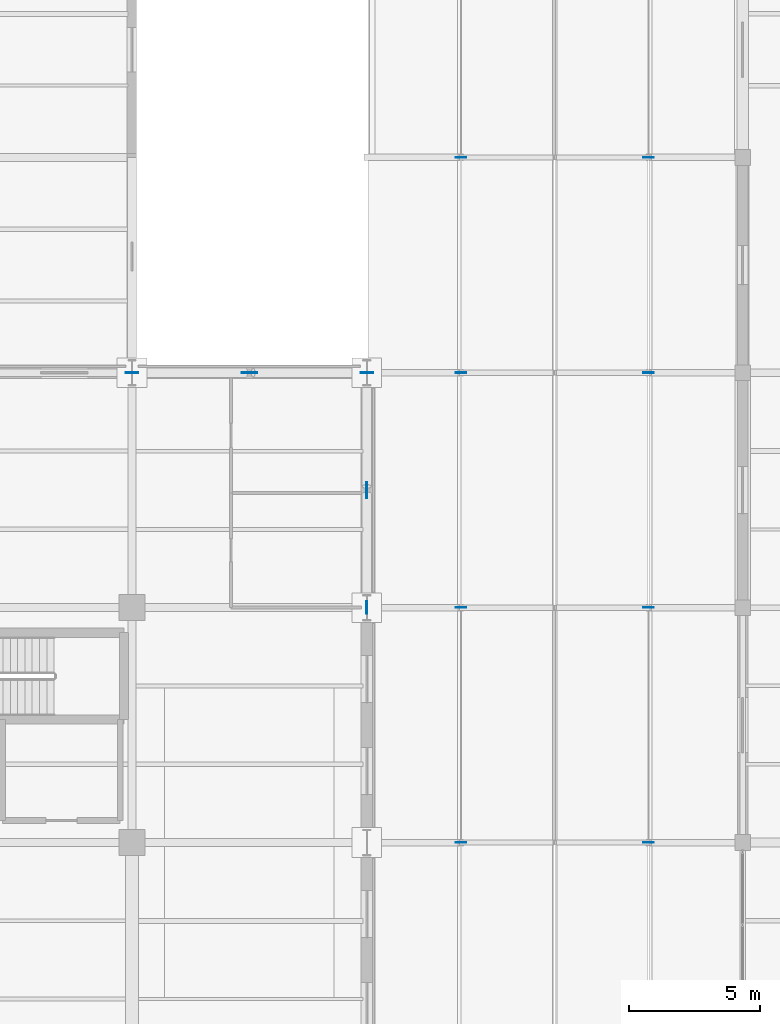
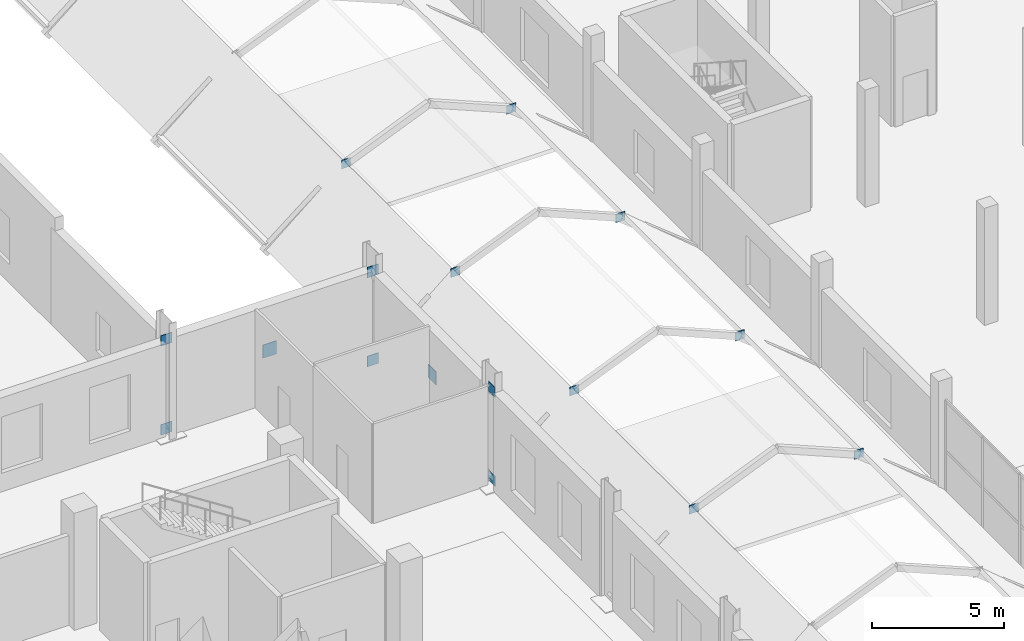
# One storey, part 113 of 141: 16 plates.
"""IFC4 building model written with IfcOpenShell, lengths in metres."""

from ifc_helpers import new_model, si_unit, direction, frame, origin, origin_2d, place, context, subcontext, project, spatial, rectangle, extrude, material, layer, layer_set, type_object, element, save


model = new_model("IFC4")

# Units and contexts
model_context = context("Model", 3, precision=1e-05, world=origin(), true_north=direction((0.0, 1.0)))
body_context = subcontext(model_context, "Body", "Model", "MODEL_VIEW")
ifc_project = project(units=[si_unit("LENGTHUNIT", "METRE"), si_unit("AREAUNIT", "SQUARE_METRE"), si_unit("VOLUMEUNIT", "CUBIC_METRE"), si_unit("PLANEANGLEUNIT", "RADIAN"), si_unit("MASSUNIT", "GRAM", prefix="KILO")], contexts=[model_context])

# Site, building, storey
site_placement = place(None, origin())
site = spatial("IfcSite", under=ifc_project, at=site_placement, CompositionType="ELEMENT")
building_placement = place(site_placement, origin())
building = spatial("IfcBuilding", under=site, at=building_placement, Name="Sundgate Opera House", CompositionType="ELEMENT")
storey_placement = place(building_placement, frame((0.0, 0.0, 11.39990234375)))
storey = spatial("IfcBuildingStorey", under=building, at=storey_placement, Name="L02", CompositionType="ELEMENT", Elevation=11.39990234375)

# Plates
ifc_material_1 = material(Name="Steel S355J2", Category="steel")
ifc_layer_1 = layer(ifc_material_1, 0.02197265625)
ifc_layer_set_1 = layer_set([ifc_layer_1], Name="Steel S355J2")
plate_type_1 = type_object("IfcPlateType", Name="PT-GUS-22", PredefinedType="USERDEFINED", material=ifc_layer_set_1)
for number, where, z_axis, x_axis, name in (
    (1, (84.60009765625, 69.0, 2.85009765625), (0.0, 0.0, 1.0), (1.0, 0.0, 0.0), "Passage Strut Top Gusset"),
    (2, (91.800048828125, 69.0, 2.85009765625), (0.0, 0.0, 1.0), (1.0, 0.0, 0.0), "Passage Strut Top Gusset"),
    (3, (84.60009765625, 78.0, 2.85009765625), (0.0, 0.0, 1.0), (1.0, 0.0, 0.0), "Passage Strut Top Gusset"),
    (4, (91.800048828125, 78.0, 2.85009765625), (0.0, 0.0, 1.0), (1.0, 0.0, 0.0), "Passage Strut Top Gusset"),
    (5, (84.60009765625, 87.0, 2.85009765625), (0.0, 0.0, 1.0), (1.0, 0.0, 0.0), "Passage Strut Top Gusset"),
    (6, (91.800048828125, 87.0, 2.85009765625), (0.0, 0.0, 1.0), (1.0, 0.0, 0.0), "Passage Strut Top Gusset"),
    (7, (84.60009765625, 95.25, 2.85009765625), (0.0, 0.0, 1.0), (1.0, 0.0, 0.0), "Passage Strut Top Gusset"),
    (8, (91.800048828125, 95.25, 2.85009765625), (0.0, 0.0, 1.0), (1.0, 0.0, 0.0), "Passage Strut Top Gusset"),
):
    element("IfcPlate", number, at=place(storey_placement, frame(where, z_axis=z_axis, x_axis=x_axis)), inside=storey, type_object=plate_type_1, Name=name, ObjectType="GUSSET PLATE", PredefinedType="USERDEFINED", context=body_context, shape_type="SweptSolid", body=[
        extrude(rectangle(XDim=0.39990234375, YDim=0.02197265625, at=origin_2d()), origin(), (0.0, 0.0, 1.0), 0.39990234375),
    ])
ifc_material_2 = material(Name="Steel S355J2", Category="steel")
ifc_layer_2 = layer(ifc_material_2, 0.028076171875)
ifc_layer_set_2 = layer_set([ifc_layer_2], Name="Steel S355J2")
plate_type_2 = type_object("IfcPlateType", Name="PT-GUS-28", PredefinedType="USERDEFINED", material=ifc_layer_set_2)
for number, where, z_axis, x_axis, name in (
    (9, (72.0, 87.0, 0.010009765625), (0.0, 0.0, 1.0), (1.0, 0.0, 0.0), "L02 Belt-Truss End Gusset"),
    (10, (81.0, 87.0, 4.110107421875), (0.0, 0.0, 1.0), (1.0, 0.0, 0.0), "L02 Belt-Truss End Gusset"),
    (11, (81.0, 87.0, 0.010009765625), (0.0, 0.0, 1.0), (1.0, 0.0, 0.0), "L02 Belt-Truss End Gusset"),
    (12, (72.0, 87.0, 4.110107421875), (0.0, 0.0, 1.0), (1.0, 0.0, 0.0), "L02 Belt-Truss End Gusset"),
):
    element("IfcPlate", number, at=place(storey_placement, frame(where, z_axis=z_axis, x_axis=x_axis)), inside=storey, type_object=plate_type_2, Name=name, ObjectType="GUSSET PLATE", PredefinedType="USERDEFINED", context=body_context, shape_type="SweptSolid", body=[
        extrude(rectangle(XDim=0.47998046875, YDim=0.028076171875, at=origin_2d()), origin(), (0.0, 0.0, 1.0), 0.47998046875),
    ])
for number, where, z_axis, x_axis, name in (
    (13, (81.0, 78.0, 0.010009765625), (0.0, 0.0, 1.0), (1.0, 0.0, 0.0), "L02 Belt-Truss End Gusset"),
    (14, (81.0, 78.0, 4.110107421875), (0.0, 0.0, 1.0), (1.0, 0.0, 0.0), "L02 Belt-Truss End Gusset"),
):
    element("IfcPlate", number, at=place(storey_placement, frame(where, z_axis=z_axis, x_axis=x_axis)), inside=storey, type_object=plate_type_2, Name=name, ObjectType="GUSSET PLATE", PredefinedType="USERDEFINED", context=body_context, shape_type="SweptSolid", body=[
        extrude(rectangle(XDim=0.028076171875, YDim=0.47998046875, at=origin_2d()), origin(), (0.0, 0.0, 1.0), 0.47998046875),
    ])
ifc_material_3 = material(Name="Steel S355J2", Category="steel")
ifc_layer_3 = layer(ifc_material_3, 0.031982421875)
ifc_layer_set_3 = layer_set([ifc_layer_3], Name="Steel S355J2")
plate_type_3 = type_object("IfcPlateType", Name="PT-GUS-32", PredefinedType="USERDEFINED", material=ifc_layer_set_3)
plate_1_placement = place(storey_placement, frame((76.5, 87.0, 2.0), z_axis=(0.0, 0.0, 1.0), x_axis=(1.0, 0.0, 0.0)))
element("IfcPlate", 15, at=plate_1_placement, inside=storey, type_object=plate_type_3, Name="L02 Belt-Truss Central Crossing Gusset", ObjectType="GUSSET PLATE", PredefinedType="USERDEFINED", context=body_context, shape_type="SweptSolid", body=[
    extrude(rectangle(XDim=0.60009765625, YDim=0.031982421875, at=origin_2d()), origin(), (0.0, 0.0, 1.0), 0.60009765625),
])
plate_2_placement = place(storey_placement, frame((81.0, 82.5, 2.0), z_axis=(0.0, 0.0, 1.0), x_axis=(1.0, 0.0, 0.0)))
element("IfcPlate", 16, at=plate_2_placement, inside=storey, type_object=plate_type_3, Name="L02 Belt-Truss Central Crossing Gusset", ObjectType="GUSSET PLATE", PredefinedType="USERDEFINED", context=body_context, shape_type="SweptSolid", body=[
    extrude(rectangle(XDim=0.031982421875, YDim=0.60009765625, at=origin_2d()), origin(), (0.0, 0.0, 1.0), 0.60009765625),
])

save(model, "model.ifc")
